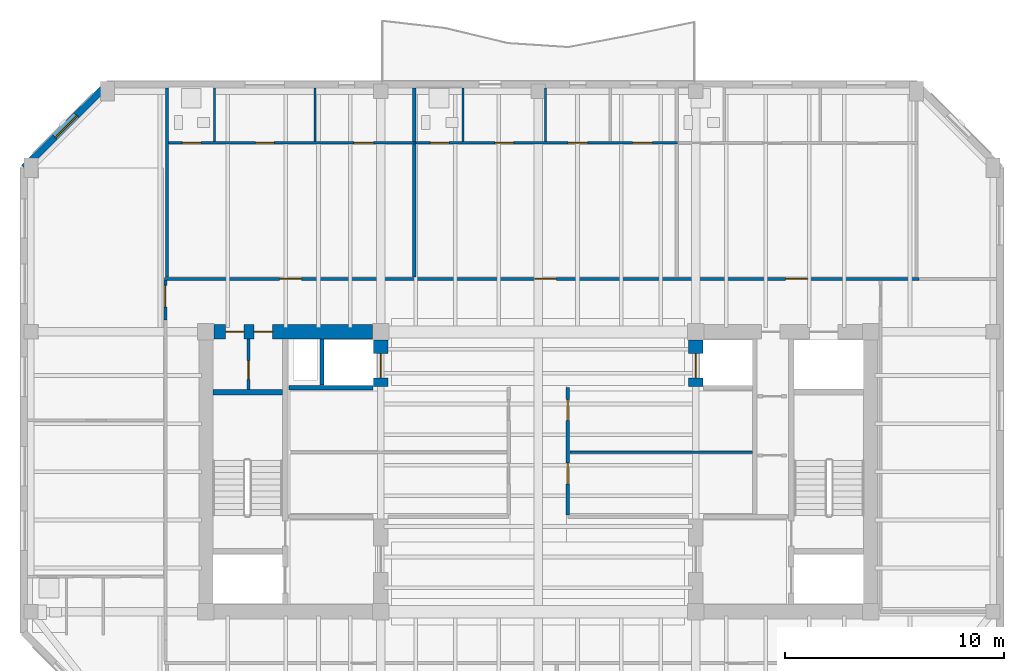
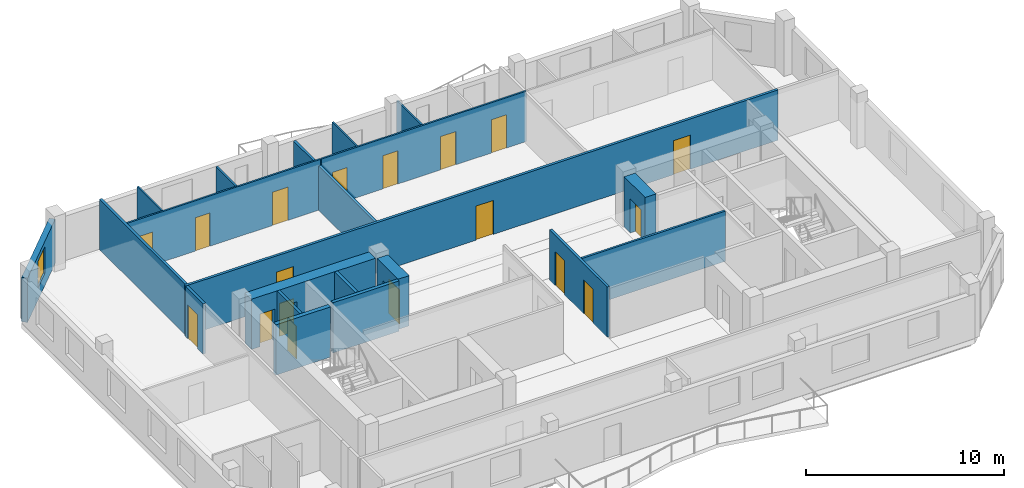
# One storey, part 4 of 10: 20 walls, 18 doors, 1 window, 19 openings.
"""IFC4 building model written with IfcOpenShell, lengths in metres."""

from ifc_helpers import new_model, si_unit, direction, frame, frame_2d, origin, place, context, subcontext, project, spatial, rectangle, extrude, material, layer, layer_set, type_object, element, fill, save


model = new_model("IFC4")

# Units and contexts
model_context = context("Model", 3, precision=1e-05, world=origin(), true_north=direction((0.0, 1.0)))
body_context = subcontext(model_context, "Body", "Model", "MODEL_VIEW")
ifc_project = project(units=[si_unit("LENGTHUNIT", "METRE"), si_unit("AREAUNIT", "SQUARE_METRE"), si_unit("VOLUMEUNIT", "CUBIC_METRE"), si_unit("PLANEANGLEUNIT", "RADIAN"), si_unit("MASSUNIT", "GRAM", prefix="KILO")], contexts=[model_context])

# Site, building, storey
site_placement = place(None, origin())
site = spatial("IfcSite", under=ifc_project, at=site_placement, CompositionType="ELEMENT")
building_placement = place(site_placement, origin())
building = spatial("IfcBuilding", under=site, at=building_placement, Name="Kranthara Brick Stack", CompositionType="ELEMENT")
storey_placement = place(building_placement, frame((0.0, 0.0, 275.5)))
storey = spatial("IfcBuildingStorey", under=building, at=storey_placement, Name="L73", CompositionType="ELEMENT", Elevation=275.5)

# Wall, opening, window
ifc_material_1 = material(Name="Warm buff clay brick masonry M15", Category="masonry")
ifc_layer_1 = layer(ifc_material_1, 0.320068359375)
ifc_layer_set_1 = layer_set([ifc_layer_1], Name="Warm buff clay brick masonry M15")
wall_type_1 = type_object("IfcWallType", Name="WL-BRK-UPPR-320", PredefinedType="STANDARD", material=ifc_layer_set_1)
wall_1_placement = place(storey_placement, frame((4.47998046875, 41.10009765625, 0.0), z_axis=(0.0, 0.0, 1.0), x_axis=(0.70712937715, 0.707084184501, 0.0)))
wall_1 = element("IfcWall", 1, at=wall_1_placement, inside=storey, type_object=wall_type_1, Name="L73 Exterior Brick Facade Wall NW 1", PredefinedType="STANDARD", context=body_context, shape_type="SweptSolid", body=[
    extrude(rectangle(XDim=5.402099609375, YDim=0.320068359375, at=frame_2d((2.701171875, 0.0))), origin(), (0.0, 0.0, 1.0), 2.72509765625),
])
opening_1_placement = place(wall_1_placement, frame((2.0009765625, 0.0, 0.75)))
opening_1 = element("IfcOpeningElement", 2, at=opening_1_placement, cuts=wall_1, Name="Opening WN10", PredefinedType="OPENING", context=body_context, shape_type="SweptSolid", body=[
    extrude(rectangle(XDim=1.39990234375, YDim=1.64990234375, at=frame_2d((0.699951171875, 0.824951171875))), frame((0.0, 0.169921875, 0.0), z_axis=(0.0, -1.0, 0.0), x_axis=(1.0, 0.0, 0.0)), (0.0, 0.0, 1.0), 0.340087890625),
])
ifc_material_2 = material(Name="Double-glazed low-E solar control glass", Category="glass")
window_type = type_object("IfcWindowType", Name="WN-CHM-1400x1750", PartitioningType="SINGLE_PANEL", PredefinedType="WINDOW", material=ifc_material_2)
window_placement = place(opening_1_placement, origin())
window = element("IfcWindow", 3, at=window_placement, inside=storey, type_object=window_type, Name="L73 NW Chamfer Corner Window", OverallHeight=1.64990234375, OverallWidth=1.39990234375, PartitioningType="SINGLE_PANEL", PredefinedType="WINDOW", context=body_context, shape_type="SweptSolid", body=[
    extrude(rectangle(XDim=1.39990234375, YDim=1.64990234375, at=frame_2d((0.699951171875, 0.824951171875))), frame((0.0, -0.010009765625, 0.0), z_axis=(0.0, -1.0, 0.0), x_axis=(1.0, 0.0, 0.0)), (0.0, 0.0, 1.0), 0.06005859375),
])
fill(opening_1, window)

# Wall
ifc_material_3 = material(Name="Concrete C50/60", Category="concrete")
ifc_layer_2 = layer(ifc_material_3, 0.25)
ifc_layer_set_2 = layer_set([ifc_layer_2], Name="Concrete C50/60")
wall_type_2 = type_object("IfcWallType", Name="WL-CORE-250", PredefinedType="SHEAR", material=ifc_layer_set_2)
wall_2_placement = place(storey_placement, frame((13.135009765625, 30.830078125, 0.0), z_axis=(0.0, 0.0, 1.0), x_axis=(1.0, 0.0, 0.0)))
element("IfcWall", 4, at=wall_2_placement, inside=storey, type_object=wall_type_2, Name="L73 West Stairwell Bearing Wall WST", PredefinedType="SHEAR", context=body_context, shape_type="SweptSolid", body=[
    extrude(rectangle(XDim=3.175048828125, YDim=0.25, at=frame_2d((1.58740234375, 0.0))), origin(), (0.0, 0.0, 1.0), 3.10009765625),
])

# Wall, openings, doors
ifc_material_4 = material(Name="Concrete C60/75", Category="concrete")
ifc_layer_3 = layer(ifc_material_4, 0.64990234375)
ifc_layer_set_3 = layer_set([ifc_layer_3], Name="Concrete C60/75")
wall_type_3 = type_object("IfcWallType", Name="WL-CORE-650", PredefinedType="SHEAR", material=ifc_layer_set_3)
wall_3_placement = place(storey_placement, frame((13.179931640625, 33.60009765625, 0.0), z_axis=(0.0, 0.0, 1.0), x_axis=(1.0, 0.0, 0.0)))
wall_3 = element("IfcWall", 5, at=wall_3_placement, inside=storey, type_object=wall_type_3, Name="L73 West Core Shear Wall North", PredefinedType="SHEAR", context=body_context, shape_type="SweptSolid", body=[
    extrude(rectangle(XDim=7.239990234375, YDim=0.64990234375, at=frame_2d((3.6201171875, 0.0))), origin(), (0.0, 0.0, 1.0), 3.10009765625),
])
opening_2_placement = place(wall_3_placement, frame((0.52001953125, 0.0, 0.0)))
opening_2 = element("IfcOpeningElement", 6, at=opening_2_placement, cuts=wall_3, Name="Opening D10", PredefinedType="OPENING", context=body_context, shape_type="SweptSolid", body=[
    extrude(rectangle(XDim=0.85009765625, YDim=2.02001953125, at=frame_2d((0.425048828125, 1.010009765625))), frame((0.0, 0.3349609375, 0.0), z_axis=(0.0, -1.0, 0.0), x_axis=(1.0, 0.0, 0.0)), (0.0, 0.0, 1.0), 0.669921875),
])
opening_3_placement = place(wall_3_placement, frame((1.820068359375, 0.0, 0.0)))
opening_3 = element("IfcOpeningElement", 7, at=opening_3_placement, cuts=wall_3, Name="Opening D10", PredefinedType="OPENING", context=body_context, shape_type="SweptSolid", body=[
    extrude(rectangle(XDim=0.85009765625, YDim=2.02001953125, at=frame_2d((0.425048828125, 1.010009765625))), frame((0.0, 0.3349609375, 0.0), z_axis=(0.0, -1.0, 0.0), x_axis=(1.0, 0.0, 0.0)), (0.0, 0.0, 1.0), 0.669921875),
])
ifc_material_5 = material(Name="Solid-core hardwood timber leaf in steel frame", Category="steel")
door_type_1 = type_object("IfcDoorType", Name="DR-RSR-850", OperationType="NOTDEFINED", PredefinedType="DOOR", material=ifc_material_5)
door_1_placement = place(opening_2_placement, origin())
door_1 = element("IfcDoor", 8, at=door_1_placement, inside=storey, type_object=door_type_1, Name="L73 West Core Service Door 1", OperationType="SINGLE_SWING_LEFT", OverallHeight=2.02001953125, OverallWidth=0.85009765625, PredefinedType="DOOR", context=body_context, shape_type="SweptSolid", body=[
    extrude(rectangle(XDim=0.85009765625, YDim=2.02001953125, at=frame_2d((0.425048828125, 1.010009765625))), frame((0.0, 0.02490234375, 0.0), z_axis=(0.0, -1.0, 0.0), x_axis=(1.0, 0.0, 0.0)), (0.0, 0.0, 1.0), 0.050048828125),
])
fill(opening_2, door_1)
door_2_placement = place(opening_3_placement, origin())
door_2 = element("IfcDoor", 9, at=door_2_placement, inside=storey, type_object=door_type_1, Name="L73 West Core Service Door 2", OperationType="SINGLE_SWING_RIGHT", OverallHeight=2.02001953125, OverallWidth=0.85009765625, PredefinedType="DOOR", context=body_context, shape_type="SweptSolid", body=[
    extrude(rectangle(XDim=0.85009765625, YDim=2.02001953125, at=frame_2d((0.425048828125, 1.010009765625))), frame((0.0, 0.02490234375, 0.0), z_axis=(0.0, -1.0, 0.0), x_axis=(1.0, 0.0, 0.0)), (0.0, 0.0, 1.0), 0.050048828125),
])
fill(opening_3, door_2)

# Wall, opening, door
wall_4_placement = place(storey_placement, frame((20.800048828125, 31.10009765625, 0.0), z_axis=(0.0, 0.0, 1.0), x_axis=(0.0, 1.0, 0.0)))
wall_4 = element("IfcWall", 10, at=wall_4_placement, inside=storey, type_object=wall_type_3, Name="L73 West Core High-Rise Lift Wall", PredefinedType="SHEAR", context=body_context, shape_type="SweptSolid", body=[
    extrude(rectangle(XDim=2.119873046875, YDim=0.64990234375, at=frame_2d((1.06005859375, 0.0))), origin(), (0.0, 0.0, 1.0), 3.10009765625),
])
opening_4_placement = place(wall_4_placement, frame((0.39990234375, 0.0, 0.0)))
opening_4 = element("IfcOpeningElement", 11, at=opening_4_placement, cuts=wall_4, Name="Opening LD02", PredefinedType="OPENING", context=body_context, shape_type="SweptSolid", body=[
    extrude(rectangle(XDim=1.10009765625, YDim=2.10009765625, at=frame_2d((0.550048828125, 1.050048828125))), frame((0.0, 0.3349609375, 0.0), z_axis=(0.0, -1.0, 0.0), x_axis=(1.0, 0.0, 0.0)), (0.0, 0.0, 1.0), 0.669921875),
])
ifc_material_6 = material(Name="Stainless steel sliding landing door", Category="steel")
door_type_2 = type_object("IfcDoorType", Name="DR-LD-PL1100", OperationType="DOUBLE_DOOR_SLIDING", PredefinedType="DOOR", material=ifc_material_6)
door_3_placement = place(opening_4_placement, origin())
door_3 = element("IfcDoor", 12, at=door_3_placement, inside=storey, type_object=door_type_2, Name="L73 PL-07 Lift Landing Door", OperationType="DOUBLE_DOOR_SLIDING", OverallHeight=2.10009765625, OverallWidth=1.10009765625, PredefinedType="DOOR", context=body_context, shape_type="SweptSolid", body=[
    extrude(rectangle(XDim=1.10009765625, YDim=2.10009765625, at=frame_2d((0.550048828125, 1.050048828125))), frame((0.0, 0.02490234375, 0.0), z_axis=(0.0, -1.0, 0.0), x_axis=(1.0, 0.0, 0.0)), (0.0, 0.0, 1.0), 0.050048828125),
])
fill(opening_4, door_3)

wall_5_placement = place(storey_placement, frame((35.199951171875, 31.10009765625, 0.0), z_axis=(0.0, 0.0, 1.0), x_axis=(0.0, 1.0, 0.0)))
wall_5 = element("IfcWall", 13, at=wall_5_placement, inside=storey, type_object=wall_type_3, Name="L73 East Core High-Rise Lift Wall", PredefinedType="SHEAR", context=body_context, shape_type="SweptSolid", body=[
    extrude(rectangle(XDim=2.119873046875, YDim=0.64990234375, at=frame_2d((1.06005859375, 0.0))), origin(), (0.0, 0.0, 1.0), 3.10009765625),
])
opening_5_placement = place(wall_5_placement, frame((0.39990234375, 0.0, 0.0)))
opening_5 = element("IfcOpeningElement", 14, at=opening_5_placement, cuts=wall_5, Name="Opening LD02", PredefinedType="OPENING", context=body_context, shape_type="SweptSolid", body=[
    extrude(rectangle(XDim=1.10009765625, YDim=2.10009765625, at=frame_2d((0.550048828125, 1.050048828125))), frame((0.0, 0.3349609375, 0.0), z_axis=(0.0, -1.0, 0.0), x_axis=(1.0, 0.0, 0.0)), (0.0, 0.0, 1.0), 0.669921875),
])
door_4_placement = place(opening_5_placement, origin())
door_4 = element("IfcDoor", 15, at=door_4_placement, inside=storey, type_object=door_type_2, Name="L73 PL-08 Lift Landing Door", OperationType="DOUBLE_DOOR_SLIDING", OverallHeight=2.10009765625, OverallWidth=1.10009765625, PredefinedType="DOOR", context=body_context, shape_type="SweptSolid", body=[
    extrude(rectangle(XDim=1.10009765625, YDim=2.10009765625, at=frame_2d((0.550048828125, 1.050048828125))), frame((0.0, 0.02490234375, 0.0), z_axis=(0.0, -1.0, 0.0), x_axis=(1.0, 0.0, 0.0)), (0.0, 0.0, 1.0), 0.050048828125),
])
fill(opening_5, door_4)

# Wall, openings, doors
ifc_material_7 = material(Name="Moisture-resistant wet-room partition", Category="other")
ifc_layer_4 = layer(ifc_material_7, 0.10009765625)
ifc_layer_set_4 = layer_set([ifc_layer_4], Name="Moisture-resistant wet-room partition")
wall_type_4 = type_object("IfcWallType", Name="WL-PART-100", PredefinedType="PARTITIONING", material=ifc_layer_set_4)
wall_6_placement = place(storey_placement, frame((11.10009765625, 42.25, 0.0), z_axis=(0.0, 0.0, 1.0), x_axis=(1.0, 0.0, 0.0)))
wall_6 = element("IfcWall", 16, at=wall_6_placement, inside=storey, type_object=wall_type_4, Name="L73 Interior Partition 016", PredefinedType="PARTITIONING", context=body_context, shape_type="SweptSolid", body=[
    extrude(rectangle(XDim=11.27197265625, YDim=0.10009765625, at=frame_2d((5.635986328125, 0.0))), origin(), (0.0, 0.0, 1.0), 3.10009765625),
])
opening_6_placement = place(wall_6_placement, frame((0.625, 0.0, 0.0)))
opening_6 = element("IfcOpeningElement", 17, at=opening_6_placement, cuts=wall_6, Name="Opening D17", PredefinedType="OPENING", context=body_context, shape_type="SweptSolid", body=[
    extrude(rectangle(XDim=0.85009765625, YDim=2.050048828125, at=frame_2d((0.425048828125, 1.02490234375))), frame((0.0, 0.06005859375, 0.0), z_axis=(0.0, -1.0, 0.0), x_axis=(1.0, 0.0, 0.0)), (0.0, 0.0, 1.0), 0.1201171875),
])
opening_7_placement = place(wall_6_placement, frame((3.970947265625, 0.0, 0.0)))
opening_7 = element("IfcOpeningElement", 18, at=opening_7_placement, cuts=wall_6, Name="Opening D16", PredefinedType="OPENING", context=body_context, shape_type="SweptSolid", body=[
    extrude(rectangle(XDim=0.85009765625, YDim=2.050048828125, at=frame_2d((0.425048828125, 1.02490234375))), frame((0.0, 0.06005859375, 0.0), z_axis=(0.0, -1.0, 0.0), x_axis=(1.0, 0.0, 0.0)), (0.0, 0.0, 1.0), 0.1201171875),
])
opening_8_placement = place(wall_6_placement, frame((8.471923828125, 0.0, 0.0)))
opening_8 = element("IfcOpeningElement", 19, at=opening_8_placement, cuts=wall_6, Name="Opening D15", PredefinedType="OPENING", context=body_context, shape_type="SweptSolid", body=[
    extrude(rectangle(XDim=0.89990234375, YDim=2.050048828125, at=frame_2d((0.449951171875, 1.02490234375))), frame((0.0, 0.06005859375, 0.0), z_axis=(0.0, -1.0, 0.0), x_axis=(1.0, 0.0, 0.0)), (0.0, 0.0, 1.0), 0.1201171875),
])
ifc_material_8 = material(Name="Solid-core hardwood timber leaf in steel frame", Category="steel")
door_type_3 = type_object("IfcDoorType", Name="DR-INT-850", OperationType="NOTDEFINED", PredefinedType="DOOR", material=ifc_material_8)
door_5_placement = place(opening_7_placement, origin())
door_5 = element("IfcDoor", 20, at=door_5_placement, inside=storey, type_object=door_type_3, Name="L73 Unit L73A Kitchen 12", OperationType="SINGLE_SWING_RIGHT", OverallHeight=2.050048828125, OverallWidth=0.85009765625, PredefinedType="DOOR", context=body_context, shape_type="SweptSolid", body=[
    extrude(rectangle(XDim=0.85009765625, YDim=2.050048828125, at=frame_2d((0.425048828125, 1.02490234375))), frame((0.0, 0.02490234375, 0.0), z_axis=(0.0, -1.0, 0.0), x_axis=(1.0, 0.0, 0.0)), (0.0, 0.0, 1.0), 0.050048828125),
])
fill(opening_7, door_5)
ifc_material_9 = material(Name="Solid-core hardwood timber leaf in steel frame", Category="steel")
door_type_4 = type_object("IfcDoorType", Name="DR-INT-900", OperationType="NOTDEFINED", PredefinedType="DOOR", material=ifc_material_9)
door_6_placement = place(opening_8_placement, origin())
door_6 = element("IfcDoor", 21, at=door_6_placement, inside=storey, type_object=door_type_4, Name="L73 Unit L73A Bedroom 13", OperationType="SINGLE_SWING_LEFT", OverallHeight=2.050048828125, OverallWidth=0.89990234375, PredefinedType="DOOR", context=body_context, shape_type="SweptSolid", body=[
    extrude(rectangle(XDim=0.89990234375, YDim=2.050048828125, at=frame_2d((0.449951171875, 1.02490234375))), frame((0.0, 0.02490234375, 0.0), z_axis=(0.0, -1.0, 0.0), x_axis=(1.0, 0.0, 0.0)), (0.0, 0.0, 1.0), 0.050048828125),
])
fill(opening_8, door_6)
ifc_material_10 = material(Name="Solid-core hardwood timber leaf in steel frame", Category="steel")
door_type_5 = type_object("IfcDoorType", Name="DR-WET-850", OperationType="NOTDEFINED", PredefinedType="DOOR", material=ifc_material_10)
door_7_placement = place(opening_6_placement, origin())
door_7 = element("IfcDoor", 22, at=door_7_placement, inside=storey, type_object=door_type_5, Name="L73 Unit L73A Bathroom 11", OperationType="SINGLE_SWING_LEFT", OverallHeight=2.050048828125, OverallWidth=0.85009765625, PredefinedType="DOOR", context=body_context, shape_type="SweptSolid", body=[
    extrude(rectangle(XDim=0.85009765625, YDim=2.050048828125, at=frame_2d((0.425048828125, 1.02490234375))), frame((0.0, 0.02490234375, 0.0), z_axis=(0.0, -1.0, 0.0), x_axis=(1.0, 0.0, 0.0)), (0.0, 0.0, 1.0), 0.050048828125),
])
fill(opening_6, door_7)

# Walls
wall_7_placement = place(storey_placement, frame((13.199951171875, 42.304931640625, 0.0), z_axis=(0.0, 0.0, 1.0), x_axis=(0.0, 1.0, 0.0)))
element("IfcWall", 23, at=wall_7_placement, inside=storey, type_object=wall_type_4, Name="L73 Interior Partition 017", PredefinedType="PARTITIONING", context=body_context, shape_type="SweptSolid", body=[
    extrude(rectangle(XDim=2.449951171875, YDim=0.10009765625, at=frame_2d((1.22509765625, 0.0))), origin(), (0.0, 0.0, 1.0), 3.10009765625),
])
wall_8_placement = place(storey_placement, frame((17.791015625, 42.304931640625, 0.0), z_axis=(0.0, 0.0, 1.0), x_axis=(0.0, 1.0, 0.0)))
element("IfcWall", 24, at=wall_8_placement, inside=storey, type_object=wall_type_4, Name="L73 Interior Partition 018", PredefinedType="PARTITIONING", context=body_context, shape_type="SweptSolid", body=[
    extrude(rectangle(XDim=2.449951171875, YDim=0.10009765625, at=frame_2d((1.22509765625, 0.0))), origin(), (0.0, 0.0, 1.0), 2.72509765625),
])

# Wall, openings, doors
wall_9_placement = place(storey_placement, frame((22.412109375, 42.25, 0.0), z_axis=(0.0, 0.0, 1.0), x_axis=(1.0, 0.0, 0.0)))
wall_9 = element("IfcWall", 25, at=wall_9_placement, inside=storey, type_object=wall_type_4, Name="L73 Interior Partition 020", PredefinedType="PARTITIONING", context=body_context, shape_type="SweptSolid", body=[
    extrude(rectangle(XDim=11.9580078125, YDim=0.10009765625, at=frame_2d((5.97900390625, 0.0))), origin(), (0.0, 0.0, 1.0), 3.10009765625),
])
opening_9_placement = place(wall_9_placement, frame((0.64990234375, 0.0, 0.0)))
opening_9 = element("IfcOpeningElement", 26, at=opening_9_placement, cuts=wall_9, Name="Opening D17", PredefinedType="OPENING", context=body_context, shape_type="SweptSolid", body=[
    extrude(rectangle(XDim=0.85009765625, YDim=2.050048828125, at=frame_2d((0.425048828125, 1.02490234375))), frame((0.0, 0.06005859375, 0.0), z_axis=(0.0, -1.0, 0.0), x_axis=(1.0, 0.0, 0.0)), (0.0, 0.0, 1.0), 0.1201171875),
])
opening_10_placement = place(wall_9_placement, frame((3.610107421875, 0.0, 0.0)))
opening_10 = element("IfcOpeningElement", 27, at=opening_10_placement, cuts=wall_9, Name="Opening D16", PredefinedType="OPENING", context=body_context, shape_type="SweptSolid", body=[
    extrude(rectangle(XDim=0.85009765625, YDim=2.050048828125, at=frame_2d((0.425048828125, 1.02490234375))), frame((0.0, 0.06005859375, 0.0), z_axis=(0.0, -1.0, 0.0), x_axis=(1.0, 0.0, 0.0)), (0.0, 0.0, 1.0), 0.1201171875),
])
opening_11_placement = place(wall_9_placement, frame((6.948974609375, 0.0, 0.0)))
opening_11 = element("IfcOpeningElement", 28, at=opening_11_placement, cuts=wall_9, Name="Opening D15", PredefinedType="OPENING", context=body_context, shape_type="SweptSolid", body=[
    extrude(rectangle(XDim=0.89990234375, YDim=2.050048828125, at=frame_2d((0.449951171875, 1.02490234375))), frame((0.0, 0.06005859375, 0.0), z_axis=(0.0, -1.0, 0.0), x_axis=(1.0, 0.0, 0.0)), (0.0, 0.0, 1.0), 0.1201171875),
])
opening_12_placement = place(wall_9_placement, frame((9.908935546875, 0.0, 0.0)))
opening_12 = element("IfcOpeningElement", 29, at=opening_12_placement, cuts=wall_9, Name="Opening D15", PredefinedType="OPENING", context=body_context, shape_type="SweptSolid", body=[
    extrude(rectangle(XDim=0.89990234375, YDim=2.050048828125, at=frame_2d((0.449951171875, 1.02490234375))), frame((0.0, 0.06005859375, 0.0), z_axis=(0.0, -1.0, 0.0), x_axis=(1.0, 0.0, 0.0)), (0.0, 0.0, 1.0), 0.1201171875),
])
door_8_placement = place(opening_10_placement, origin())
door_8 = element("IfcDoor", 30, at=door_8_placement, inside=storey, type_object=door_type_3, Name="L73 Unit L73B Kitchen 16", OperationType="SINGLE_SWING_RIGHT", OverallHeight=2.050048828125, OverallWidth=0.85009765625, PredefinedType="DOOR", context=body_context, shape_type="SweptSolid", body=[
    extrude(rectangle(XDim=0.85009765625, YDim=2.050048828125, at=frame_2d((0.425048828125, 1.02490234375))), frame((0.0, 0.02490234375, 0.0), z_axis=(0.0, -1.0, 0.0), x_axis=(1.0, 0.0, 0.0)), (0.0, 0.0, 1.0), 0.050048828125),
])
fill(opening_10, door_8)
door_9_placement = place(opening_11_placement, origin())
door_9 = element("IfcDoor", 31, at=door_9_placement, inside=storey, type_object=door_type_4, Name="L73 Unit L73B Master Bedroom 17", OperationType="SINGLE_SWING_LEFT", OverallHeight=2.050048828125, OverallWidth=0.89990234375, PredefinedType="DOOR", context=body_context, shape_type="SweptSolid", body=[
    extrude(rectangle(XDim=0.89990234375, YDim=2.050048828125, at=frame_2d((0.449951171875, 1.02490234375))), frame((0.0, 0.02490234375, 0.0), z_axis=(0.0, -1.0, 0.0), x_axis=(1.0, 0.0, 0.0)), (0.0, 0.0, 1.0), 0.050048828125),
])
fill(opening_11, door_9)
door_10_placement = place(opening_12_placement, origin())
door_10 = element("IfcDoor", 32, at=door_10_placement, inside=storey, type_object=door_type_4, Name="L73 Unit L73B Bedroom 2 18", OperationType="SINGLE_SWING_RIGHT", OverallHeight=2.050048828125, OverallWidth=0.89990234375, PredefinedType="DOOR", context=body_context, shape_type="SweptSolid", body=[
    extrude(rectangle(XDim=0.89990234375, YDim=2.050048828125, at=frame_2d((0.449951171875, 1.02490234375))), frame((0.0, 0.02490234375, 0.0), z_axis=(0.0, -1.0, 0.0), x_axis=(1.0, 0.0, 0.0)), (0.0, 0.0, 1.0), 0.050048828125),
])
fill(opening_12, door_10)
door_11_placement = place(opening_9_placement, origin())
door_11 = element("IfcDoor", 33, at=door_11_placement, inside=storey, type_object=door_type_5, Name="L73 Unit L73B Bathroom 15", OperationType="SINGLE_SWING_LEFT", OverallHeight=2.050048828125, OverallWidth=0.85009765625, PredefinedType="DOOR", context=body_context, shape_type="SweptSolid", body=[
    extrude(rectangle(XDim=0.85009765625, YDim=2.050048828125, at=frame_2d((0.425048828125, 1.02490234375))), frame((0.0, 0.02490234375, 0.0), z_axis=(0.0, -1.0, 0.0), x_axis=(1.0, 0.0, 0.0)), (0.0, 0.0, 1.0), 0.050048828125),
])
fill(opening_9, door_11)

# Walls
for number, where, z_axis, x_axis, name in (
    (34, (24.56201171875, 42.304931640625, 0.0), (0.0, 0.0, 1.0), (0.0, 1.0, 0.0), "L73 Interior Partition 021"),
    (35, (28.3310546875, 42.304931640625, 0.0), (0.0, 0.0, 1.0), (0.0, 1.0, 0.0), "L73 Interior Partition 022"),
):
    element("IfcWall", number, at=place(storey_placement, frame(where, z_axis=z_axis, x_axis=x_axis)), inside=storey, type_object=wall_type_4, Name=name, PredefinedType="PARTITIONING", context=body_context, shape_type="SweptSolid", body=[
        extrude(rectangle(XDim=2.449951171875, YDim=0.10009765625, at=frame_2d((1.22509765625, 0.0))), origin(), (0.0, 0.0, 1.0), 3.10009765625),
    ])
ifc_material_11 = material(Name="Acoustic gypsum plasterboard partition", Category="other")
ifc_layer_5 = layer(ifc_material_11, 0.1201171875)
ifc_layer_set_5 = layer_set([ifc_layer_5], Name="Acoustic gypsum plasterboard partition")
wall_type_5 = type_object("IfcWallType", Name="WL-PART-120", PredefinedType="PARTITIONING", material=ifc_layer_set_5)
wall_10_placement = place(storey_placement, frame((29.449951171875, 28.10009765625, 0.0), z_axis=(0.0, 0.0, 1.0), x_axis=(1.0, 0.0, 0.0)))
element("IfcWall", 36, at=wall_10_placement, inside=storey, type_object=wall_type_5, Name="L73 Interior Partition 009", PredefinedType="PARTITIONING", context=body_context, shape_type="SweptSolid", body=[
    extrude(rectangle(XDim=8.344970703125, YDim=0.1201171875, at=frame_2d((4.17236328125, 0.0))), origin(), (0.0, 0.0, 1.0), 3.10009765625),
])

# Wall, opening, door
ifc_material_12 = material(Name="Fire-rated gypsum board partition", Category="other")
ifc_layer_6 = layer(ifc_material_12, 0.14990234375)
ifc_layer_set_6 = layer_set([ifc_layer_6], Name="Fire-rated gypsum board partition")
wall_type_6 = type_object("IfcWallType", Name="WL-PART-150", PredefinedType="PARTITIONING", material=ifc_layer_set_6)
wall_11_placement = place(storey_placement, frame((14.75, 30.9599609375, 0.0), z_axis=(0.0, 0.0, 1.0), x_axis=(0.0, 1.0, 0.0)))
wall_11 = element("IfcWall", 37, at=wall_11_placement, inside=storey, type_object=wall_type_6, Name="L73 Interior Partition 001", PredefinedType="PARTITIONING", context=body_context, shape_type="SweptSolid", body=[
    extrude(rectangle(XDim=2.31005859375, YDim=0.14990234375, at=frame_2d((1.155029296875, 0.0))), origin(), (0.0, 0.0, 1.0), 3.10009765625),
])
opening_13_placement = place(wall_11_placement, frame((0.469970703125, 0.0, 0.0)))
opening_13 = element("IfcOpeningElement", 38, at=opening_13_placement, cuts=wall_11, Name="Opening D10", PredefinedType="OPENING", context=body_context, shape_type="SweptSolid", body=[
    extrude(rectangle(XDim=0.85009765625, YDim=2.02001953125, at=frame_2d((0.425048828125, 1.010009765625))), frame((0.0, 0.0849609375, 0.0), z_axis=(0.0, -1.0, 0.0), x_axis=(1.0, 0.0, 0.0)), (0.0, 0.0, 1.0), 0.169921875),
])
door_12_placement = place(opening_13_placement, origin())
door_12 = element("IfcDoor", 39, at=door_12_placement, inside=storey, type_object=door_type_1, Name="L73 Service Interconnect 01", OperationType="SINGLE_SWING_LEFT", OverallHeight=2.02001953125, OverallWidth=0.85009765625, PredefinedType="DOOR", context=body_context, shape_type="SweptSolid", body=[
    extrude(rectangle(XDim=0.85009765625, YDim=2.02001953125, at=frame_2d((0.425048828125, 1.010009765625))), frame((0.0, 0.02490234375, 0.0), z_axis=(0.0, -1.0, 0.0), x_axis=(1.0, 0.0, 0.0)), (0.0, 0.0, 1.0), 0.050048828125),
])
fill(opening_13, door_12)

# Wall, openings, doors
wall_12_placement = place(storey_placement, frame((29.35009765625, 25.22998046875, 0.0), z_axis=(0.0, 0.0, 1.0), x_axis=(0.0, 1.0, 0.0)))
wall_12 = element("IfcWall", 40, at=wall_12_placement, inside=storey, type_object=wall_type_6, Name="L73 Interior Partition 008", PredefinedType="PARTITIONING", context=body_context, shape_type="SweptSolid", body=[
    extrude(rectangle(XDim=5.820068359375, YDim=0.14990234375, at=frame_2d((2.91015625, 0.0))), origin(), (0.0, 0.0, 1.0), 3.10009765625),
])
opening_14_placement = place(wall_12_placement, frame((1.419921875, 0.0, 0.0)))
opening_14 = element("IfcOpeningElement", 41, at=opening_14_placement, cuts=wall_12, Name="Opening D09", PredefinedType="OPENING", context=body_context, shape_type="SweptSolid", body=[
    extrude(rectangle(XDim=0.949951171875, YDim=2.10009765625, at=frame_2d((0.47509765625, 1.050048828125))), frame((0.0, 0.0849609375, 0.0), z_axis=(0.0, -1.0, 0.0), x_axis=(1.0, 0.0, 0.0)), (0.0, 0.0, 1.0), 0.169921875),
])
opening_15_placement = place(wall_12_placement, frame((4.320068359375, 0.0, 0.0)))
opening_15 = element("IfcOpeningElement", 42, at=opening_15_placement, cuts=wall_12, Name="Opening D09", PredefinedType="OPENING", context=body_context, shape_type="SweptSolid", body=[
    extrude(rectangle(XDim=0.949951171875, YDim=2.10009765625, at=frame_2d((0.47509765625, 1.050048828125))), frame((0.0, 0.0849609375, 0.0), z_axis=(0.0, -1.0, 0.0), x_axis=(1.0, 0.0, 0.0)), (0.0, 0.0, 1.0), 0.169921875),
])
ifc_material_13 = material(Name="Solid-core hardwood timber leaf in steel frame", Category="steel")
door_type_6 = type_object("IfcDoorType", Name="DR-FD-950", OperationType="NOTDEFINED", PredefinedType="DOOR", material=ifc_material_13)
door_13_placement = place(opening_14_placement, origin())
door_13 = element("IfcDoor", 43, at=door_13_placement, inside=storey, type_object=door_type_6, Name="L73 Private Tea Room 06", OperationType="SINGLE_SWING_RIGHT", OverallHeight=2.10009765625, OverallWidth=0.949951171875, PredefinedType="DOOR", context=body_context, shape_type="SweptSolid", body=[
    extrude(rectangle(XDim=0.949951171875, YDim=2.10009765625, at=frame_2d((0.47509765625, 1.050048828125))), frame((0.0, 0.02490234375, 0.0), z_axis=(0.0, -1.0, 0.0), x_axis=(1.0, 0.0, 0.0)), (0.0, 0.0, 1.0), 0.050048828125),
])
fill(opening_14, door_13)
door_14_placement = place(opening_15_placement, origin())
door_14 = element("IfcDoor", 44, at=door_14_placement, inside=storey, type_object=door_type_6, Name="L73 Private Dining Room 07", OperationType="SINGLE_SWING_LEFT", OverallHeight=2.10009765625, OverallWidth=0.949951171875, PredefinedType="DOOR", context=body_context, shape_type="SweptSolid", body=[
    extrude(rectangle(XDim=0.949951171875, YDim=2.10009765625, at=frame_2d((0.47509765625, 1.050048828125))), frame((0.0, 0.02490234375, 0.0), z_axis=(0.0, -1.0, 0.0), x_axis=(1.0, 0.0, 0.0)), (0.0, 0.0, 1.0), 0.050048828125),
])
fill(opening_15, door_14)

wall_13_placement = place(storey_placement, frame((10.89990234375, 36.02001953125, 0.0), z_axis=(0.0, 0.0, 1.0), x_axis=(1.0, 0.0, 0.0)))
wall_13 = element("IfcWall", 45, at=wall_13_placement, inside=storey, type_object=wall_type_6, Name="L73 Interior Partition 014", PredefinedType="PARTITIONING", context=body_context, shape_type="SweptSolid", body=[
    extrude(rectangle(XDim=34.52001953125, YDim=0.14990234375, at=frame_2d((17.260009765625, 0.0))), origin(), (0.0, 0.0, 1.0), 3.10009765625),
])
opening_16_placement = place(wall_13_placement, frame((5.27587890625, 0.0, 0.0)))
opening_16 = element("IfcOpeningElement", 46, at=opening_16_placement, cuts=wall_13, Name="Opening D08", PredefinedType="OPENING", context=body_context, shape_type="SweptSolid", body=[
    extrude(rectangle(XDim=1.0, YDim=2.10009765625, at=frame_2d((0.5, 1.050048828125))), frame((0.0, 0.0849609375, 0.0), z_axis=(0.0, -1.0, 0.0), x_axis=(1.0, 0.0, 0.0)), (0.0, 0.0, 1.0), 0.169921875),
])
opening_17_placement = place(wall_13_placement, frame((16.930908203125, 0.0, 0.0)))
opening_17 = element("IfcOpeningElement", 47, at=opening_17_placement, cuts=wall_13, Name="Opening D08", PredefinedType="OPENING", context=body_context, shape_type="SweptSolid", body=[
    extrude(rectangle(XDim=1.0, YDim=2.10009765625, at=frame_2d((0.5, 1.050048828125))), frame((0.0, 0.0849609375, 0.0), z_axis=(0.0, -1.0, 0.0), x_axis=(1.0, 0.0, 0.0)), (0.0, 0.0, 1.0), 0.169921875),
])
opening_18_placement = place(wall_13_placement, frame((28.4150390625, 0.0, 0.0)))
opening_18 = element("IfcOpeningElement", 48, at=opening_18_placement, cuts=wall_13, Name="Opening D08", PredefinedType="OPENING", context=body_context, shape_type="SweptSolid", body=[
    extrude(rectangle(XDim=1.0, YDim=2.10009765625, at=frame_2d((0.5, 1.050048828125))), frame((0.0, 0.0849609375, 0.0), z_axis=(0.0, -1.0, 0.0), x_axis=(1.0, 0.0, 0.0)), (0.0, 0.0, 1.0), 0.169921875),
])
ifc_material_14 = material(Name="Solid-core hardwood timber leaf in steel frame", Category="steel")
door_type_7 = type_object("IfcDoorType", Name="DR-FD-1000", OperationType="NOTDEFINED", PredefinedType="DOOR", material=ifc_material_14)
door_15_placement = place(opening_16_placement, origin())
door_15 = element("IfcDoor", 49, at=door_15_placement, inside=storey, type_object=door_type_7, Name="L73 Unit L73A Entrance 10", OperationType="SINGLE_SWING_RIGHT", OverallHeight=2.10009765625, OverallWidth=1.0, PredefinedType="DOOR", context=body_context, shape_type="SweptSolid", body=[
    extrude(rectangle(XDim=1.0, YDim=2.10009765625, at=frame_2d((0.5, 1.050048828125))), frame((0.0, 0.02490234375, 0.0), z_axis=(0.0, -1.0, 0.0), x_axis=(1.0, 0.0, 0.0)), (0.0, 0.0, 1.0), 0.050048828125),
])
fill(opening_16, door_15)
door_16_placement = place(opening_17_placement, origin())
door_16 = element("IfcDoor", 50, at=door_16_placement, inside=storey, type_object=door_type_7, Name="L73 Unit L73B Entrance 14", OperationType="SINGLE_SWING_RIGHT", OverallHeight=2.10009765625, OverallWidth=1.0, PredefinedType="DOOR", context=body_context, shape_type="SweptSolid", body=[
    extrude(rectangle(XDim=1.0, YDim=2.10009765625, at=frame_2d((0.5, 1.050048828125))), frame((0.0, 0.02490234375, 0.0), z_axis=(0.0, -1.0, 0.0), x_axis=(1.0, 0.0, 0.0)), (0.0, 0.0, 1.0), 0.050048828125),
])
fill(opening_17, door_16)
door_17_placement = place(opening_18_placement, origin())
door_17 = element("IfcDoor", 51, at=door_17_placement, inside=storey, type_object=door_type_7, Name="L73 Unit L73C Entrance 19", OperationType="SINGLE_SWING_LEFT", OverallHeight=2.10009765625, OverallWidth=1.0, PredefinedType="DOOR", context=body_context, shape_type="SweptSolid", body=[
    extrude(rectangle(XDim=1.0, YDim=2.10009765625, at=frame_2d((0.5, 1.050048828125))), frame((0.0, 0.02490234375, 0.0), z_axis=(0.0, -1.0, 0.0), x_axis=(1.0, 0.0, 0.0)), (0.0, 0.0, 1.0), 0.050048828125),
])
fill(opening_18, door_17)

# Walls
wall_14_placement = place(storey_placement, frame((11.02001953125, 36.10009765625, 0.0), z_axis=(0.0, 0.0, 1.0), x_axis=(0.0, 1.0, 0.0)))
element("IfcWall", 52, at=wall_14_placement, inside=storey, type_object=wall_type_6, Name="L73 Interior Partition 015", PredefinedType="PARTITIONING", context=body_context, shape_type="SweptSolid", body=[
    extrude(rectangle(XDim=8.65478515625, YDim=0.14990234375, at=frame_2d((4.327392578125, 0.0))), origin(), (0.0, 0.0, 1.0), 3.10009765625),
])
wall_15_placement = place(storey_placement, frame((22.33203125, 36.10009765625, 0.0), z_axis=(0.0, 0.0, 1.0), x_axis=(0.0, 1.0, 0.0)))
element("IfcWall", 53, at=wall_15_placement, inside=storey, type_object=wall_type_6, Name="L73 Interior Partition 019", PredefinedType="PARTITIONING", context=body_context, shape_type="SweptSolid", body=[
    extrude(rectangle(XDim=8.65478515625, YDim=0.14990234375, at=frame_2d((4.327392578125, 0.0))), origin(), (0.0, 0.0, 1.0), 2.72509765625),
])

# Wall, opening, door
wall_16_placement = place(storey_placement, frame((10.949951171875, 34.14990234375, 0.0), z_axis=(0.0, 0.0, 1.0), x_axis=(0.0, 1.0, 0.0)))
wall_16 = element("IfcWall", 54, at=wall_16_placement, inside=storey, type_object=wall_type_6, Name="L73 Interior Partition 032", PredefinedType="PARTITIONING", context=body_context, shape_type="SweptSolid", body=[
    extrude(rectangle(XDim=1.7900390625, YDim=0.14990234375, at=frame_2d((0.89501953125, 0.0))), origin(), (0.0, 0.0, 1.0), 3.10009765625),
])
opening_19_placement = place(wall_16_placement, frame((0.580078125, 0.0, 0.0)))
opening_19 = element("IfcOpeningElement", 55, at=opening_19_placement, cuts=wall_16, Name="Opening D08", PredefinedType="OPENING", context=body_context, shape_type="SweptSolid", body=[
    extrude(rectangle(XDim=1.0, YDim=2.10009765625, at=frame_2d((0.5, 1.050048828125))), frame((0.0, 0.0849609375, 0.0), z_axis=(0.0, -1.0, 0.0), x_axis=(1.0, 0.0, 0.0)), (0.0, 0.0, 1.0), 0.169921875),
])
door_18_placement = place(opening_19_placement, origin())
door_18 = element("IfcDoor", 56, at=door_18_placement, inside=storey, type_object=door_type_7, Name="L73 Unit L73D Entrance 23", OperationType="SINGLE_SWING_LEFT", OverallHeight=2.10009765625, OverallWidth=1.0, PredefinedType="DOOR", context=body_context, shape_type="SweptSolid", body=[
    extrude(rectangle(XDim=1.0, YDim=2.10009765625, at=frame_2d((0.5, 1.050048828125))), frame((0.0, 0.02490234375, 0.0), z_axis=(0.0, -1.0, 0.0), x_axis=(1.0, 0.0, 0.0)), (0.0, 0.0, 1.0), 0.050048828125),
])
fill(opening_19, door_18)

# Walls
ifc_material_15 = material(Name="Gypsum plasterboard on acoustic twin stud", Category="other")
ifc_layer_7 = layer(ifc_material_15, 0.179931640625)
ifc_layer_set_7 = layer_set([ifc_layer_7], Name="Gypsum plasterboard on acoustic twin stud")
wall_type_7 = type_object("IfcWallType", Name="WL-PART-180", PredefinedType="PARTITIONING", material=ifc_layer_set_7)
wall_17_placement = place(storey_placement, frame((18.1201171875, 31.169921875, 0.0), z_axis=(0.0, 0.0, 1.0), x_axis=(0.0, 1.0, 0.0)))
element("IfcWall", 57, at=wall_17_placement, inside=storey, type_object=wall_type_7, Name="L73 PL-07 Shaft Back Wall", PredefinedType="PARTITIONING", context=body_context, shape_type="SweptSolid", body=[
    extrude(rectangle(XDim=2.094970703125, YDim=0.179931640625, at=frame_2d((1.04736328125, 0.0))), origin(), (0.0, 0.0, 1.0), 3.10009765625),
])
ifc_material_16 = material(Name="Concrete C40/50", Category="concrete")
ifc_layer_8 = layer(ifc_material_16, 0.199951171875)
ifc_layer_set_8 = layer_set([ifc_layer_8], Name="Concrete C40/50")
wall_type_8 = type_object("IfcWallType", Name="WL-PART-200", PredefinedType="SOLIDWALL", material=ifc_layer_set_8)
wall_18_placement = place(storey_placement, frame((16.60009765625, 31.050048828125, 0.0), z_axis=(0.0, 0.0, 1.0), x_axis=(1.0, 0.0, 0.0)))
element("IfcWall", 58, at=wall_18_placement, inside=storey, type_object=wall_type_8, Name="L73 West Core Cross Wall WH4", PredefinedType="SOLIDWALL", context=body_context, shape_type="SweptSolid", body=[
    extrude(rectangle(XDim=3.849853515625, YDim=0.199951171875, at=frame_2d((1.9248046875, 0.0))), origin(), (0.0, 0.0, 1.0), 3.10009765625),
])

save(model, "model.ifc")
